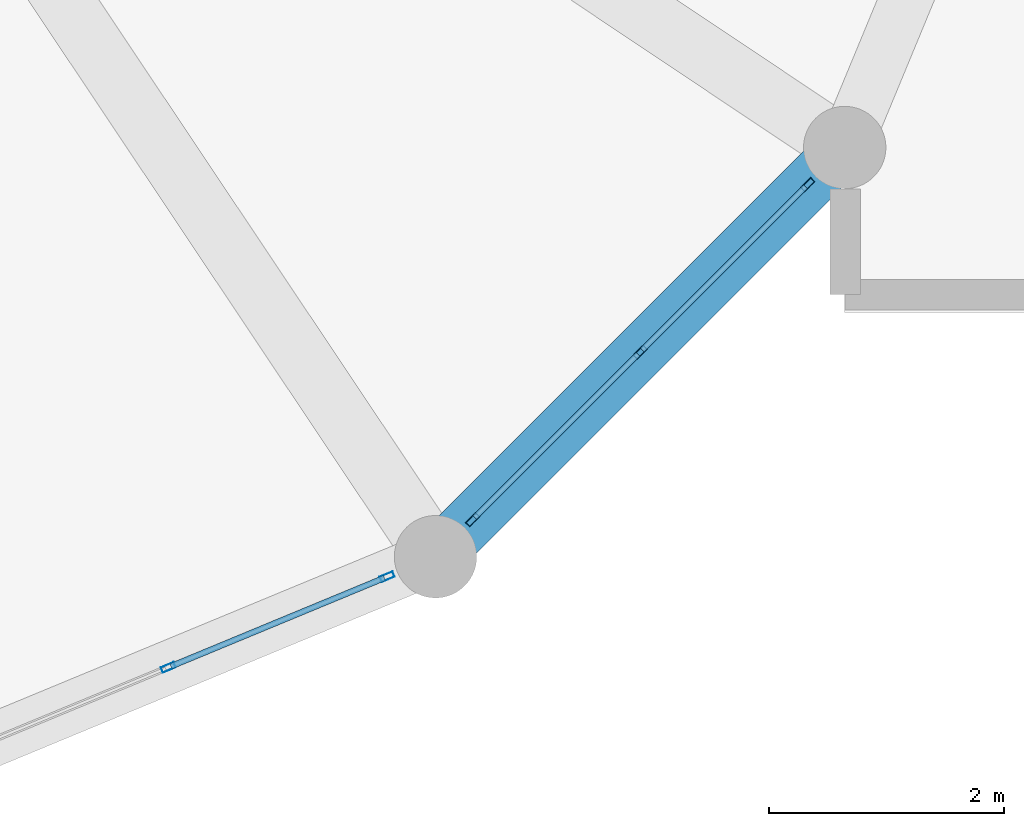
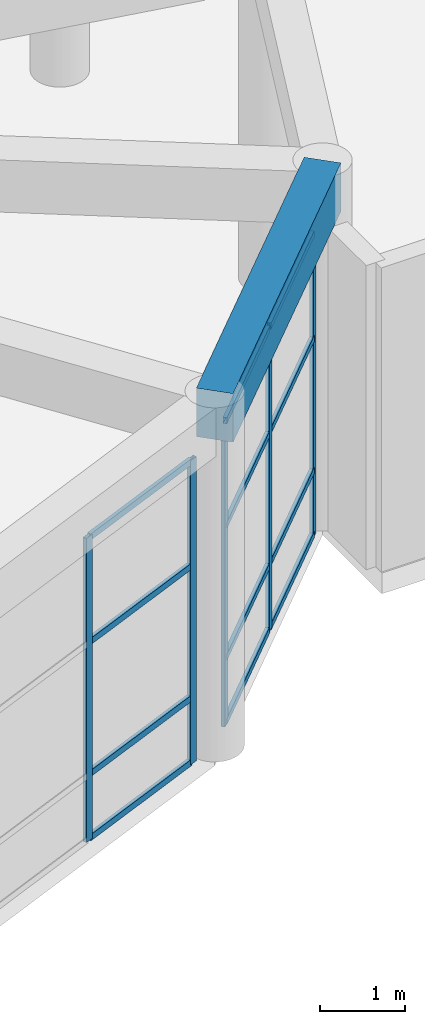
# One storey, part 11 of 95: 17 members, 1 beam, 2 elements without a shape of their own.
"""IFC4 building model written with IfcOpenShell, lengths in metres."""

from ifc_helpers import new_model, si_unit, direction, frame, origin, origin_2d, place, context, subcontext, project, spatial, rectangle, hollow_rectangle, extrude, material, material_profile, profile_set, type_object, element, aggregate, save


model = new_model("IFC4")

# Units and contexts
model_context = context("Model", 3, precision=1e-05, world=origin(), true_north=direction((0.0, 1.0)))
body_context = subcontext(model_context, "Body", "Model", "MODEL_VIEW")
ifc_project = project(units=[si_unit("LENGTHUNIT", "METRE"), si_unit("AREAUNIT", "SQUARE_METRE"), si_unit("VOLUMEUNIT", "CUBIC_METRE"), si_unit("PLANEANGLEUNIT", "RADIAN"), si_unit("MASSUNIT", "GRAM", prefix="KILO")], contexts=[model_context])

# Site, building, storey
site_placement = place(None, origin())
site = spatial("IfcSite", under=ifc_project, at=site_placement, CompositionType="ELEMENT")
building_placement = place(site_placement, origin())
building = spatial("IfcBuilding", under=site, at=building_placement, Name="Almacenes y Pasaje Nevantli", CompositionType="ELEMENT")
storey_placement = place(building_placement, frame((0.0, 0.0, 11.39990234375)))
storey = spatial("IfcBuildingStorey", under=building, at=storey_placement, Name="L03", CompositionType="ELEMENT", Elevation=11.39990234375)

# Beam
ifc_material_1 = material(Name="Concrete C35/45", Category="concrete")
ifc_material_profile_1 = material_profile(ifc_material_1, rectangle(XDim=0.449951171875, YDim=0.699951171875, at=origin_2d()), Name="RC-BM-450x700")
ifc_profile_set_1 = profile_set([ifc_material_profile_1], Name="Concrete C35/45")
beam_type = type_object("IfcBeamType", Name="BM-RC-450x700", PredefinedType="SPANDREL", material=ifc_profile_set_1)
beam_placement = place(storey_placement, frame((15.400146484375, -2.076416015625, 4.75), z_axis=(0.707106781187, 0.707106781187, 0.0), x_axis=(-0.707106781187, 0.707106781187, 0.0)))
element("IfcBeam", 1, at=beam_placement, inside=storey, type_object=beam_type, Name="L03 Rotunda Ring Spandrel Beam #14", PredefinedType="SPANDREL", context=body_context, shape_type="SweptSolid", body=[
    extrude(rectangle(XDim=0.449951171875, YDim=0.699951171875, at=origin_2d()), origin(), (0.0, 0.0, 1.0), 4.916259765625),
])

# Curtain wall, members
ifc_material_2 = material(Name="Thermally Broken Aluminium and Low-E Glass", Category="aluminium")
curtain_wall_type = type_object("IfcCurtainWallType", Name="CW-UNIT-ROTUNDA", PredefinedType="USERDEFINED", material=ifc_material_2)
curtain_wall_1_placement = place(storey_placement, origin())
curtain_wall_1 = element("IfcCurtainWall", 2, at=curtain_wall_1_placement, inside=storey, type_object=curtain_wall_type, Name="L03 Corner Rotunda Faceted Curtain Wall Facet #13", ObjectType="UNITIZED CURTAIN WALL", PredefinedType="USERDEFINED")
ifc_material_3 = material(Name="Thermally Broken Anodized Aluminium", Category="aluminium")
ifc_material_profile_2 = material_profile(ifc_material_3, hollow_rectangle(XDim=0.050048828125, YDim=0.1201171875, WallThickness=0.003173828125, at=origin_2d()), Name="ALU-MUL-50x120")
ifc_profile_set_2 = profile_set([ifc_material_profile_2], Name="Thermally Broken Anodized Aluminium")
member_type_1 = type_object("IfcMemberType", Name="CW-MUL-140", PredefinedType="MULLION", material=ifc_profile_set_2)
member_1_placement = place(storey_placement, frame((13.129150390625, -3.01708984375, 0.0), z_axis=(0.0, 0.0, 1.0), x_axis=(-0.382698450865, 0.923873311502, 0.0)))
member_1 = element("IfcMember", 3, at=member_1_placement, type_object=member_type_1, Name="CW-L03-065 mullion 2", PredefinedType="MULLION", context=body_context, shape_type="SweptSolid", body=[
    extrude(hollow_rectangle(XDim=0.050048828125, YDim=0.1201171875, WallThickness=0.003173828125, at=origin_2d()), origin(), (0.0, 0.0, 1.0), 4.380126953125),
])
member_2_placement = place(storey_placement, frame((14.989013671875, -2.246826171875, 0.0), z_axis=(0.0, 0.0, 1.0), x_axis=(-0.382698450865, 0.923873311502, 0.0)))
member_2 = element("IfcMember", 4, at=member_2_placement, type_object=member_type_1, Name="CW-L03-065 mullion 3", PredefinedType="MULLION", context=body_context, shape_type="SweptSolid", body=[
    extrude(hollow_rectangle(XDim=0.050048828125, YDim=0.1201171875, WallThickness=0.003173828125, at=origin_2d()), origin(), (0.0, 0.0, 1.0), 4.380126953125),
])

curtain_wall_2_placement = place(storey_placement, origin())
curtain_wall_2 = element("IfcCurtainWall", 5, at=curtain_wall_2_placement, inside=storey, type_object=curtain_wall_type, Name="L03 Corner Rotunda Faceted Curtain Wall Facet #14", ObjectType="UNITIZED CURTAIN WALL", PredefinedType="USERDEFINED")
member_3_placement = place(storey_placement, frame((15.71484375, -1.76171875, 0.0), z_axis=(0.0, 0.0, 1.0), x_axis=(-0.707106781187, 0.707106781187, 0.0)))
member_3 = element("IfcMember", 6, at=member_3_placement, type_object=member_type_1, Name="CW-L03-066 mullion 1", PredefinedType="MULLION", context=body_context, shape_type="SweptSolid", body=[
    extrude(hollow_rectangle(XDim=0.050048828125, YDim=0.1201171875, WallThickness=0.003173828125, at=origin_2d()), origin(), (0.0, 0.0, 1.0), 4.380126953125),
])
member_4_placement = place(storey_placement, frame((17.138427734375, -0.33837890625, 0.0), z_axis=(0.0, 0.0, 1.0), x_axis=(-0.707106781187, 0.707106781187, 0.0)))
member_4 = element("IfcMember", 7, at=member_4_placement, type_object=member_type_1, Name="CW-L03-066 mullion 2", PredefinedType="MULLION", context=body_context, shape_type="SweptSolid", body=[
    extrude(hollow_rectangle(XDim=0.050048828125, YDim=0.1201171875, WallThickness=0.003173828125, at=origin_2d()), origin(), (0.0, 0.0, 1.0), 4.380126953125),
])
member_5_placement = place(storey_placement, frame((18.561767578125, 1.085205078125, 0.0), z_axis=(0.0, 0.0, 1.0), x_axis=(-0.707106781187, 0.707106781187, 0.0)))
member_5 = element("IfcMember", 8, at=member_5_placement, type_object=member_type_1, Name="CW-L03-066 mullion 3", PredefinedType="MULLION", context=body_context, shape_type="SweptSolid", body=[
    extrude(hollow_rectangle(XDim=0.050048828125, YDim=0.1201171875, WallThickness=0.003173828125, at=origin_2d()), origin(), (0.0, 0.0, 1.0), 4.380126953125),
])

# Member
ifc_material_4 = material(Name="Thermally Broken Anodized Aluminium", Category="aluminium")
ifc_material_profile_3 = material_profile(ifc_material_4, hollow_rectangle(XDim=0.050048828125, YDim=0.090087890625, WallThickness=0.0029296875, at=origin_2d()), Name="ALU-TRN-50x90")
ifc_profile_set_3 = profile_set([ifc_material_profile_3], Name="Thermally Broken Anodized Aluminium")
member_type_2 = type_object("IfcMemberType", Name="CW-TRN-100", PredefinedType="USERDEFINED", material=ifc_profile_set_3)
member_6_placement = place(storey_placement, frame((13.15234375, -3.007568359375, 0.025146484375), z_axis=(0.923887998679, 0.382662992588, 0.0), x_axis=(-0.382662992588, 0.923887998679, 0.0)))
member_6 = element("IfcMember", 9, at=member_6_placement, type_object=member_type_2, Name="CW-L03-065 transom 2.1", ObjectType="TRANSOM", PredefinedType="USERDEFINED", context=body_context, shape_type="SweptSolid", body=[
    extrude(hollow_rectangle(XDim=0.050048828125, YDim=0.090087890625, WallThickness=0.0029296875, at=origin_2d()), origin(), (0.0, 0.0, 1.0), 1.963134765625),
])

member_7_placement = place(storey_placement, frame((13.15234375, -3.007568359375, 0.9501953125), z_axis=(0.923887998679, 0.382662992588, 0.0), x_axis=(-0.382662992588, 0.923887998679, 0.0)))
member_7 = element("IfcMember", 10, at=member_7_placement, type_object=member_type_2, Name="CW-L03-065 transom 2.2", ObjectType="TRANSOM", PredefinedType="USERDEFINED", context=body_context, shape_type="SweptSolid", body=[
    extrude(hollow_rectangle(XDim=0.050048828125, YDim=0.090087890625, WallThickness=0.0029296875, at=origin_2d()), origin(), (0.0, 0.0, 1.0), 1.963134765625),
])

member_8_placement = place(storey_placement, frame((13.15234375, -3.007568359375, 2.85009765625), z_axis=(0.923887998679, 0.382662992588, 0.0), x_axis=(-0.382662992588, 0.923887998679, 0.0)))
member_8 = element("IfcMember", 11, at=member_8_placement, type_object=member_type_2, Name="CW-L03-065 transom 2.3", ObjectType="TRANSOM", PredefinedType="USERDEFINED", context=body_context, shape_type="SweptSolid", body=[
    extrude(hollow_rectangle(XDim=0.050048828125, YDim=0.090087890625, WallThickness=0.0029296875, at=origin_2d()), origin(), (0.0, 0.0, 1.0), 1.963134765625),
])

member_9_placement = place(storey_placement, frame((13.15234375, -3.007568359375, 4.35498046875), z_axis=(0.923887998679, 0.382662992588, 0.0), x_axis=(-0.382662992588, 0.923887998679, 0.0)))
member_9 = element("IfcMember", 12, at=member_9_placement, type_object=member_type_2, Name="CW-L03-065 transom 2.4", ObjectType="TRANSOM", PredefinedType="USERDEFINED", context=body_context, shape_type="SweptSolid", body=[
    extrude(hollow_rectangle(XDim=0.050048828125, YDim=0.090087890625, WallThickness=0.0029296875, at=origin_2d()), origin(), (0.0, 0.0, 1.0), 1.963134765625),
])

aggregate(curtain_wall_1, [member_1, member_2, member_6, member_7, member_8, member_9])

member_10_placement = place(storey_placement, frame((15.732666015625, -1.744140625, 0.025146484375), z_axis=(0.707044593352, 0.707168963553, 0.0), x_axis=(-0.707168963553, 0.707044593352, 0.0)))
member_10 = element("IfcMember", 13, at=member_10_placement, type_object=member_type_2, Name="CW-L03-066 transom 1.1", ObjectType="TRANSOM", PredefinedType="USERDEFINED", context=body_context, shape_type="SweptSolid", body=[
    extrude(hollow_rectangle(XDim=0.050048828125, YDim=0.090087890625, WallThickness=0.0029296875, at=origin_2d()), origin(), (0.0, 0.0, 1.0), 1.963134765625),
])

member_11_placement = place(storey_placement, frame((15.732666015625, -1.744140625, 0.9501953125), z_axis=(0.707044593352, 0.707168963553, 0.0), x_axis=(-0.707168963553, 0.707044593352, 0.0)))
member_11 = element("IfcMember", 14, at=member_11_placement, type_object=member_type_2, Name="CW-L03-066 transom 1.2", ObjectType="TRANSOM", PredefinedType="USERDEFINED", context=body_context, shape_type="SweptSolid", body=[
    extrude(hollow_rectangle(XDim=0.050048828125, YDim=0.090087890625, WallThickness=0.0029296875, at=origin_2d()), origin(), (0.0, 0.0, 1.0), 1.963134765625),
])

member_12_placement = place(storey_placement, frame((15.732666015625, -1.744140625, 2.85009765625), z_axis=(0.707044593352, 0.707168963553, 0.0), x_axis=(-0.707168963553, 0.707044593352, 0.0)))
member_12 = element("IfcMember", 15, at=member_12_placement, type_object=member_type_2, Name="CW-L03-066 transom 1.3", ObjectType="TRANSOM", PredefinedType="USERDEFINED", context=body_context, shape_type="SweptSolid", body=[
    extrude(hollow_rectangle(XDim=0.050048828125, YDim=0.090087890625, WallThickness=0.0029296875, at=origin_2d()), origin(), (0.0, 0.0, 1.0), 1.963134765625),
])

member_13_placement = place(storey_placement, frame((15.732666015625, -1.744140625, 4.35498046875), z_axis=(0.707044593352, 0.707168963553, 0.0), x_axis=(-0.707168963553, 0.707044593352, 0.0)))
member_13 = element("IfcMember", 16, at=member_13_placement, type_object=member_type_2, Name="CW-L03-066 transom 1.4", ObjectType="TRANSOM", PredefinedType="USERDEFINED", context=body_context, shape_type="SweptSolid", body=[
    extrude(hollow_rectangle(XDim=0.050048828125, YDim=0.090087890625, WallThickness=0.0029296875, at=origin_2d()), origin(), (0.0, 0.0, 1.0), 1.963134765625),
])

member_14_placement = place(storey_placement, frame((17.156005859375, -0.320556640625, 0.025146484375), z_axis=(0.707168963553, 0.707044593352, 0.0), x_axis=(-0.707044593352, 0.707168963553, 0.0)))
member_14 = element("IfcMember", 17, at=member_14_placement, type_object=member_type_2, Name="CW-L03-066 transom 2.1", ObjectType="TRANSOM", PredefinedType="USERDEFINED", context=body_context, shape_type="SweptSolid", body=[
    extrude(hollow_rectangle(XDim=0.050048828125, YDim=0.090087890625, WallThickness=0.0029296875, at=origin_2d()), origin(), (0.0, 0.0, 1.0), 1.963134765625),
])

member_15_placement = place(storey_placement, frame((17.156005859375, -0.320556640625, 0.9501953125), z_axis=(0.707168963553, 0.707044593352, 0.0), x_axis=(-0.707044593352, 0.707168963553, 0.0)))
member_15 = element("IfcMember", 18, at=member_15_placement, type_object=member_type_2, Name="CW-L03-066 transom 2.2", ObjectType="TRANSOM", PredefinedType="USERDEFINED", context=body_context, shape_type="SweptSolid", body=[
    extrude(hollow_rectangle(XDim=0.050048828125, YDim=0.090087890625, WallThickness=0.0029296875, at=origin_2d()), origin(), (0.0, 0.0, 1.0), 1.963134765625),
])

member_16_placement = place(storey_placement, frame((17.156005859375, -0.320556640625, 2.85009765625), z_axis=(0.707168963553, 0.707044593352, 0.0), x_axis=(-0.707044593352, 0.707168963553, 0.0)))
member_16 = element("IfcMember", 19, at=member_16_placement, type_object=member_type_2, Name="CW-L03-066 transom 2.3", ObjectType="TRANSOM", PredefinedType="USERDEFINED", context=body_context, shape_type="SweptSolid", body=[
    extrude(hollow_rectangle(XDim=0.050048828125, YDim=0.090087890625, WallThickness=0.0029296875, at=origin_2d()), origin(), (0.0, 0.0, 1.0), 1.963134765625),
])

member_17_placement = place(storey_placement, frame((17.156005859375, -0.320556640625, 4.35498046875), z_axis=(0.707168963553, 0.707044593352, 0.0), x_axis=(-0.707044593352, 0.707168963553, 0.0)))
member_17 = element("IfcMember", 20, at=member_17_placement, type_object=member_type_2, Name="CW-L03-066 transom 2.4", ObjectType="TRANSOM", PredefinedType="USERDEFINED", context=body_context, shape_type="SweptSolid", body=[
    extrude(hollow_rectangle(XDim=0.050048828125, YDim=0.090087890625, WallThickness=0.0029296875, at=origin_2d()), origin(), (0.0, 0.0, 1.0), 1.963134765625),
])

aggregate(curtain_wall_2, [member_3, member_4, member_5, member_10, member_11, member_12, member_13, member_14, member_15, member_16, member_17])

save(model, "model.ifc")
